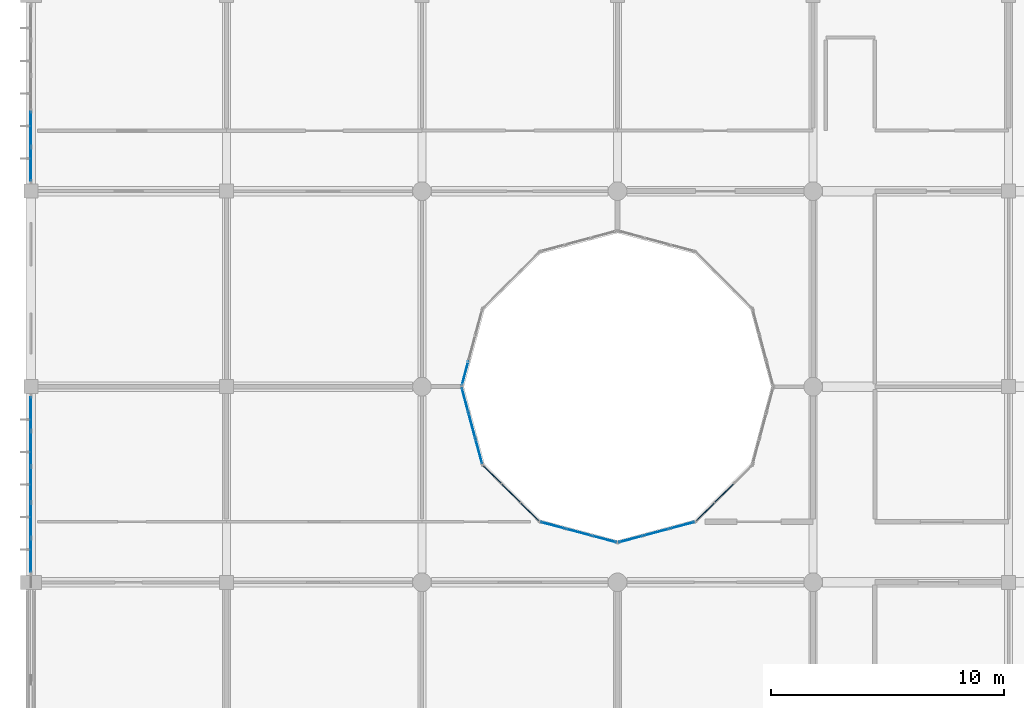
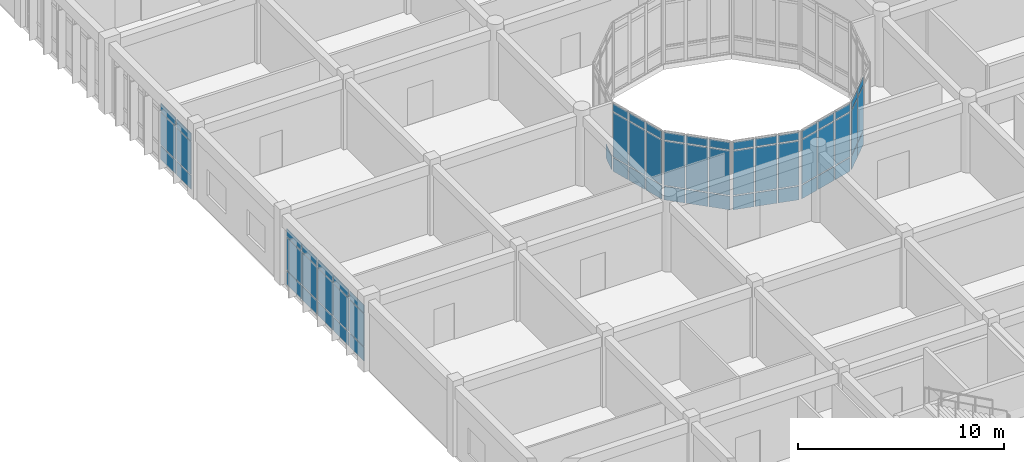
# One storey, part 78 of 144: 64 plates, 8 elements without a shape of their own.
"""IFC4 building model written with IfcOpenShell, lengths in metres."""

from ifc_helpers import new_model, si_unit, direction, frame, origin, origin_2d, place, context, subcontext, project, spatial, rectangle, extrude, material, layer, layer_set, type_object, element, aggregate, save


model = new_model("IFC4")

# Units and contexts
model_context = context("Model", 3, precision=1e-05, world=origin(), true_north=direction((0.0, 1.0)))
body_context = subcontext(model_context, "Body", "Model", "MODEL_VIEW")
ifc_project = project(units=[si_unit("LENGTHUNIT", "METRE"), si_unit("AREAUNIT", "SQUARE_METRE"), si_unit("VOLUMEUNIT", "CUBIC_METRE"), si_unit("PLANEANGLEUNIT", "RADIAN"), si_unit("MASSUNIT", "GRAM", prefix="KILO")], contexts=[model_context])

# Site, building, storey
site_placement = place(None, origin())
site = spatial("IfcSite", under=ifc_project, at=site_placement, CompositionType="ELEMENT")
building_placement = place(site_placement, origin())
building = spatial("IfcBuilding", under=site, at=building_placement, Name="Bramfleet General Hospital", CompositionType="ELEMENT")
storey_placement = place(building_placement, frame((0.0, 0.0, 4.800048828125)))
storey = spatial("IfcBuildingStorey", under=building, at=storey_placement, Name="L01", CompositionType="ELEMENT", Elevation=4.800048828125)

# Curtain wall, plates
ifc_material_1 = material(Name="Anodised aluminium and low-E triple glazing", Category="aluminium")
ifc_layer_1 = layer(ifc_material_1, 0.179931640625, Name="CWT-CW-06")
ifc_layer_set_1 = layer_set([ifc_layer_1], Name="Anodised aluminium and low-E triple glazing")
curtain_wall_type_1 = type_object("IfcCurtainWallType", Name="CWT-CW-06", PredefinedType="USERDEFINED", material=ifc_layer_set_1)
curtain_wall_1_placement = place(storey_placement, origin())
curtain_wall_1 = element("IfcCurtainWall", 1, at=curtain_wall_1_placement, inside=storey, type_object=curtain_wall_type_1, Name="L01 Curtain Wall 42", ObjectType="Unitised curtain wall", PredefinedType="USERDEFINED")
ifc_material_2 = material(Name="Low-E laminated safety glass", Category="glass")
ifc_layer_2 = layer(ifc_material_2, 0.031982421875, Name="CWP-GLZ-2")
ifc_layer_set_2 = layer_set([ifc_layer_2], Name="Low-E laminated safety glass")
plate_type_1 = type_object("IfcPlateType", Name="CWP-GLZ-2", PredefinedType="CURTAIN_PANEL", material=ifc_layer_set_2)
plate_1_placement = place(storey_placement, frame((0.0, 76.757568359375, 0.06494140625), z_axis=(0.0, 0.0, 1.0), x_axis=(0.0, 1.0, 0.0)))
plate_1 = element("IfcPlate", 2, at=plate_1_placement, type_object=plate_type_1, Name="CW-06 panel 1.1", PredefinedType="CURTAIN_PANEL", context=body_context, shape_type="SweptSolid", body=[
    extrude(rectangle(XDim=1.425048828125, YDim=0.031982421875, at=origin_2d()), origin(), (0.0, 0.0, 1.0), 0.802490234375),
])
plate_2_placement = place(storey_placement, frame((0.0, 76.757568359375, 0.9326171875), z_axis=(0.0, 0.0, 1.0), x_axis=(0.0, 1.0, 0.0)))
plate_2 = element("IfcPlate", 3, at=plate_2_placement, type_object=plate_type_1, Name="CW-06 panel 1.2", PredefinedType="CURTAIN_PANEL", context=body_context, shape_type="SweptSolid", body=[
    extrude(rectangle(XDim=1.425048828125, YDim=0.031982421875, at=origin_2d()), origin(), (0.0, 0.0, 1.0), 1.925048828125),
])
plate_3_placement = place(storey_placement, frame((0.0, 76.757568359375, 2.92236328125), z_axis=(0.0, 0.0, 1.0), x_axis=(0.0, 1.0, 0.0)))
plate_3 = element("IfcPlate", 4, at=plate_3_placement, type_object=plate_type_1, Name="CW-06 panel 1.3", PredefinedType="CURTAIN_PANEL", context=body_context, shape_type="SweptSolid", body=[
    extrude(rectangle(XDim=1.425048828125, YDim=0.031982421875, at=origin_2d()), origin(), (0.0, 0.0, 1.0), 0.452392578125),
])
plate_4_placement = place(storey_placement, frame((0.0, 78.27001953125, 0.06494140625), z_axis=(0.0, 0.0, 1.0), x_axis=(0.0, 1.0, 0.0)))
plate_4 = element("IfcPlate", 5, at=plate_4_placement, type_object=plate_type_1, Name="CW-06 panel 2.1", PredefinedType="CURTAIN_PANEL", context=body_context, shape_type="SweptSolid", body=[
    extrude(rectangle(XDim=1.4599609375, YDim=0.031982421875, at=origin_2d()), origin(), (0.0, 0.0, 1.0), 0.802490234375),
])
plate_5_placement = place(storey_placement, frame((0.0, 78.27001953125, 0.9326171875), z_axis=(0.0, 0.0, 1.0), x_axis=(0.0, 1.0, 0.0)))
plate_5 = element("IfcPlate", 6, at=plate_5_placement, type_object=plate_type_1, Name="CW-06 panel 2.2", PredefinedType="CURTAIN_PANEL", context=body_context, shape_type="SweptSolid", body=[
    extrude(rectangle(XDim=1.4599609375, YDim=0.031982421875, at=origin_2d()), origin(), (0.0, 0.0, 1.0), 1.925048828125),
])
plate_6_placement = place(storey_placement, frame((0.0, 78.27001953125, 2.92236328125), z_axis=(0.0, 0.0, 1.0), x_axis=(0.0, 1.0, 0.0)))
plate_6 = element("IfcPlate", 7, at=plate_6_placement, type_object=plate_type_1, Name="CW-06 panel 2.3", PredefinedType="CURTAIN_PANEL", context=body_context, shape_type="SweptSolid", body=[
    extrude(rectangle(XDim=1.4599609375, YDim=0.031982421875, at=origin_2d()), origin(), (0.0, 0.0, 1.0), 0.452392578125),
])
plate_7_placement = place(storey_placement, frame((0.0, 79.800048828125, 0.06494140625), z_axis=(0.0, 0.0, 1.0), x_axis=(0.0, 1.0, 0.0)))
plate_7 = element("IfcPlate", 8, at=plate_7_placement, type_object=plate_type_1, Name="CW-06 panel 3.1", PredefinedType="CURTAIN_PANEL", context=body_context, shape_type="SweptSolid", body=[
    extrude(rectangle(XDim=1.4599609375, YDim=0.031982421875, at=origin_2d()), origin(), (0.0, 0.0, 1.0), 0.802490234375),
])
plate_8_placement = place(storey_placement, frame((0.0, 79.800048828125, 0.9326171875), z_axis=(0.0, 0.0, 1.0), x_axis=(0.0, 1.0, 0.0)))
plate_8 = element("IfcPlate", 9, at=plate_8_placement, type_object=plate_type_1, Name="CW-06 panel 3.2", PredefinedType="CURTAIN_PANEL", context=body_context, shape_type="SweptSolid", body=[
    extrude(rectangle(XDim=1.4599609375, YDim=0.031982421875, at=origin_2d()), origin(), (0.0, 0.0, 1.0), 1.925048828125),
])
plate_9_placement = place(storey_placement, frame((0.0, 79.800048828125, 2.92236328125), z_axis=(0.0, 0.0, 1.0), x_axis=(0.0, 1.0, 0.0)))
plate_9 = element("IfcPlate", 10, at=plate_9_placement, type_object=plate_type_1, Name="CW-06 panel 3.3", PredefinedType="CURTAIN_PANEL", context=body_context, shape_type="SweptSolid", body=[
    extrude(rectangle(XDim=1.4599609375, YDim=0.031982421875, at=origin_2d()), origin(), (0.0, 0.0, 1.0), 0.452392578125),
])
plate_10_placement = place(storey_placement, frame((0.0, 81.330078125, 0.06494140625), z_axis=(0.0, 0.0, 1.0), x_axis=(0.0, 1.0, 0.0)))
plate_10 = element("IfcPlate", 11, at=plate_10_placement, type_object=plate_type_1, Name="CW-06 panel 4.1", PredefinedType="CURTAIN_PANEL", context=body_context, shape_type="SweptSolid", body=[
    extrude(rectangle(XDim=1.4599609375, YDim=0.031982421875, at=origin_2d()), origin(), (0.0, 0.0, 1.0), 0.802490234375),
])
plate_11_placement = place(storey_placement, frame((0.0, 81.330078125, 0.9326171875), z_axis=(0.0, 0.0, 1.0), x_axis=(0.0, 1.0, 0.0)))
plate_11 = element("IfcPlate", 12, at=plate_11_placement, type_object=plate_type_1, Name="CW-06 panel 4.2", PredefinedType="CURTAIN_PANEL", context=body_context, shape_type="SweptSolid", body=[
    extrude(rectangle(XDim=1.4599609375, YDim=0.031982421875, at=origin_2d()), origin(), (0.0, 0.0, 1.0), 1.925048828125),
])
plate_12_placement = place(storey_placement, frame((0.0, 81.330078125, 2.92236328125), z_axis=(0.0, 0.0, 1.0), x_axis=(0.0, 1.0, 0.0)))
plate_12 = element("IfcPlate", 13, at=plate_12_placement, type_object=plate_type_1, Name="CW-06 panel 4.3", PredefinedType="CURTAIN_PANEL", context=body_context, shape_type="SweptSolid", body=[
    extrude(rectangle(XDim=1.4599609375, YDim=0.031982421875, at=origin_2d()), origin(), (0.0, 0.0, 1.0), 0.452392578125),
])
plate_13_placement = place(storey_placement, frame((0.0, 82.842529296875, 0.06494140625), z_axis=(0.0, 0.0, 1.0), x_axis=(0.0, 1.0, 0.0)))
plate_13 = element("IfcPlate", 14, at=plate_13_placement, type_object=plate_type_1, Name="CW-06 panel 5.1", PredefinedType="CURTAIN_PANEL", context=body_context, shape_type="SweptSolid", body=[
    extrude(rectangle(XDim=1.425048828125, YDim=0.031982421875, at=origin_2d()), origin(), (0.0, 0.0, 1.0), 0.802490234375),
])
plate_14_placement = place(storey_placement, frame((0.0, 82.842529296875, 0.9326171875), z_axis=(0.0, 0.0, 1.0), x_axis=(0.0, 1.0, 0.0)))
plate_14 = element("IfcPlate", 15, at=plate_14_placement, type_object=plate_type_1, Name="CW-06 panel 5.2", PredefinedType="CURTAIN_PANEL", context=body_context, shape_type="SweptSolid", body=[
    extrude(rectangle(XDim=1.425048828125, YDim=0.031982421875, at=origin_2d()), origin(), (0.0, 0.0, 1.0), 1.925048828125),
])
plate_15_placement = place(storey_placement, frame((0.0, 82.842529296875, 2.92236328125), z_axis=(0.0, 0.0, 1.0), x_axis=(0.0, 1.0, 0.0)))
plate_15 = element("IfcPlate", 16, at=plate_15_placement, type_object=plate_type_1, Name="CW-06 panel 5.3", PredefinedType="CURTAIN_PANEL", context=body_context, shape_type="SweptSolid", body=[
    extrude(rectangle(XDim=1.425048828125, YDim=0.031982421875, at=origin_2d()), origin(), (0.0, 0.0, 1.0), 0.452392578125),
])
aggregate(curtain_wall_1, [plate_1, plate_2, plate_3, plate_4, plate_5, plate_6, plate_7, plate_8, plate_9, plate_10, plate_11, plate_12, plate_13, plate_14, plate_15])

ifc_layer_3 = layer(ifc_material_1, 0.179931640625, Name="CWT-CW-17")
ifc_layer_set_3 = layer_set([ifc_layer_3], Name="Anodised aluminium and low-E triple glazing")
curtain_wall_type_2 = type_object("IfcCurtainWallType", Name="CWT-CW-17", PredefinedType="USERDEFINED", material=ifc_layer_set_3)
curtain_wall_2_placement = place(storey_placement, origin())
curtain_wall_2 = element("IfcCurtainWall", 17, at=curtain_wall_2_placement, inside=storey, type_object=curtain_wall_type_2, Name="L01 West Clinical Light Court Curtain Wall 1.1", ObjectType="Stick curtain wall", PredefinedType="USERDEFINED")
plate_16_placement = place(storey_placement, frame((18.654296875, 83.4248046875, 0.06494140625), z_axis=(0.0, 0.0, 1.0), x_axis=(0.25891863407, -0.965899136003, 0.0)))
plate_16 = element("IfcPlate", 18, at=plate_16_placement, type_object=plate_type_1, Name="CW-17 panel 1.1", PredefinedType="CURTAIN_PANEL", context=body_context, shape_type="SweptSolid", body=[
    extrude(rectangle(XDim=1.051025390625, YDim=0.031982421875, at=origin_2d()), origin(), (0.0, 0.0, 1.0), 0.802490234375),
])
plate_17_placement = place(storey_placement, frame((18.654296875, 83.4248046875, 0.932373046875), z_axis=(0.0, 0.0, 1.0), x_axis=(0.25891863407, -0.965899136003, 0.0)))
plate_17 = element("IfcPlate", 19, at=plate_17_placement, type_object=plate_type_1, Name="CW-17 panel 1.2", PredefinedType="CURTAIN_PANEL", context=body_context, shape_type="SweptSolid", body=[
    extrude(rectangle(XDim=1.051025390625, YDim=0.031982421875, at=origin_2d()), origin(), (0.0, 0.0, 1.0), 2.625),
])
plate_18_placement = place(storey_placement, frame((18.654296875, 83.4248046875, 3.62255859375), z_axis=(0.0, 0.0, 1.0), x_axis=(0.25891863407, -0.965899136003, 0.0)))
plate_18 = element("IfcPlate", 20, at=plate_18_placement, type_object=plate_type_1, Name="CW-17 panel 1.3", PredefinedType="CURTAIN_PANEL", context=body_context, shape_type="SweptSolid", body=[
    extrude(rectangle(XDim=1.051025390625, YDim=0.031982421875, at=origin_2d()), origin(), (0.0, 0.0, 1.0), 0.452392578125),
])
plate_19_placement = place(storey_placement, frame((18.948974609375, 82.324951171875, 0.06494140625), z_axis=(0.0, 0.0, 1.0), x_axis=(0.25891863407, -0.965899136003, 0.0)))
plate_19 = element("IfcPlate", 21, at=plate_19_placement, type_object=plate_type_1, Name="CW-17 panel 2.1", PredefinedType="CURTAIN_PANEL", context=body_context, shape_type="SweptSolid", body=[
    extrude(rectangle(XDim=1.086181640625, YDim=0.031982421875, at=origin_2d()), origin(), (0.0, 0.0, 1.0), 0.802490234375),
])
plate_20_placement = place(storey_placement, frame((18.948974609375, 82.324951171875, 0.932373046875), z_axis=(0.0, 0.0, 1.0), x_axis=(0.25891863407, -0.965899136003, 0.0)))
plate_20 = element("IfcPlate", 22, at=plate_20_placement, type_object=plate_type_1, Name="CW-17 panel 2.2", PredefinedType="CURTAIN_PANEL", context=body_context, shape_type="SweptSolid", body=[
    extrude(rectangle(XDim=1.086181640625, YDim=0.031982421875, at=origin_2d()), origin(), (0.0, 0.0, 1.0), 2.625),
])
plate_21_placement = place(storey_placement, frame((18.948974609375, 82.324951171875, 3.62255859375), z_axis=(0.0, 0.0, 1.0), x_axis=(0.25891863407, -0.965899136003, 0.0)))
plate_21 = element("IfcPlate", 23, at=plate_21_placement, type_object=plate_type_1, Name="CW-17 panel 2.3", PredefinedType="CURTAIN_PANEL", context=body_context, shape_type="SweptSolid", body=[
    extrude(rectangle(XDim=1.086181640625, YDim=0.031982421875, at=origin_2d()), origin(), (0.0, 0.0, 1.0), 0.452392578125),
])
plate_22_placement = place(storey_placement, frame((19.243896484375, 81.225341796875, 0.06494140625), z_axis=(0.0, 0.0, 1.0), x_axis=(0.25891863407, -0.965899136003, 0.0)))
plate_22 = element("IfcPlate", 24, at=plate_22_placement, type_object=plate_type_1, Name="CW-17 panel 3.1", PredefinedType="CURTAIN_PANEL", context=body_context, shape_type="SweptSolid", body=[
    extrude(rectangle(XDim=1.051025390625, YDim=0.031982421875, at=origin_2d()), origin(), (0.0, 0.0, 1.0), 0.802490234375),
])
plate_23_placement = place(storey_placement, frame((19.243896484375, 81.225341796875, 0.932373046875), z_axis=(0.0, 0.0, 1.0), x_axis=(0.25891863407, -0.965899136003, 0.0)))
plate_23 = element("IfcPlate", 25, at=plate_23_placement, type_object=plate_type_1, Name="CW-17 panel 3.2", PredefinedType="CURTAIN_PANEL", context=body_context, shape_type="SweptSolid", body=[
    extrude(rectangle(XDim=1.051025390625, YDim=0.031982421875, at=origin_2d()), origin(), (0.0, 0.0, 1.0), 2.625),
])
plate_24_placement = place(storey_placement, frame((19.243896484375, 81.225341796875, 3.62255859375), z_axis=(0.0, 0.0, 1.0), x_axis=(0.25891863407, -0.965899136003, 0.0)))
plate_24 = element("IfcPlate", 26, at=plate_24_placement, type_object=plate_type_1, Name="CW-17 panel 3.3", PredefinedType="CURTAIN_PANEL", context=body_context, shape_type="SweptSolid", body=[
    extrude(rectangle(XDim=1.051025390625, YDim=0.031982421875, at=origin_2d()), origin(), (0.0, 0.0, 1.0), 0.452392578125),
])
aggregate(curtain_wall_2, [plate_16, plate_17, plate_18, plate_19, plate_20, plate_21, plate_22, plate_23, plate_24])

ifc_layer_4 = layer(ifc_material_1, 0.179931640625, Name="CWT-CW-18")
ifc_layer_set_4 = layer_set([ifc_layer_4], Name="Anodised aluminium and low-E triple glazing")
curtain_wall_type_3 = type_object("IfcCurtainWallType", Name="CWT-CW-18", PredefinedType="USERDEFINED", material=ifc_layer_set_4)
curtain_wall_3_placement = place(storey_placement, origin())
curtain_wall_3 = element("IfcCurtainWall", 27, at=curtain_wall_3_placement, inside=storey, type_object=curtain_wall_type_3, Name="L01 West Clinical Light Court Curtain Wall 2.1", ObjectType="Stick curtain wall", PredefinedType="USERDEFINED")
plate_25_placement = place(storey_placement, frame((19.819091796875, 80.22900390625, 0.06494140625), z_axis=(0.0, 0.0, 1.0), x_axis=(0.707106781187, -0.707106781187, 0.0)))
plate_25 = element("IfcPlate", 28, at=plate_25_placement, type_object=plate_type_1, Name="CW-18 panel 1.1", PredefinedType="CURTAIN_PANEL", context=body_context, shape_type="SweptSolid", body=[
    extrude(rectangle(XDim=1.05078125, YDim=0.031982421875, at=origin_2d()), origin(), (0.0, 0.0, 1.0), 0.802490234375),
])
plate_26_placement = place(storey_placement, frame((19.819091796875, 80.22900390625, 0.932373046875), z_axis=(0.0, 0.0, 1.0), x_axis=(0.707106781187, -0.707106781187, 0.0)))
plate_26 = element("IfcPlate", 29, at=plate_26_placement, type_object=plate_type_1, Name="CW-18 panel 1.2", PredefinedType="CURTAIN_PANEL", context=body_context, shape_type="SweptSolid", body=[
    extrude(rectangle(XDim=1.05078125, YDim=0.031982421875, at=origin_2d()), origin(), (0.0, 0.0, 1.0), 2.625),
])
plate_27_placement = place(storey_placement, frame((19.819091796875, 80.22900390625, 3.62255859375), z_axis=(0.0, 0.0, 1.0), x_axis=(0.707106781187, -0.707106781187, 0.0)))
plate_27 = element("IfcPlate", 30, at=plate_27_placement, type_object=plate_type_1, Name="CW-18 panel 1.3", PredefinedType="CURTAIN_PANEL", context=body_context, shape_type="SweptSolid", body=[
    extrude(rectangle(XDim=1.05078125, YDim=0.031982421875, at=origin_2d()), origin(), (0.0, 0.0, 1.0), 0.452392578125),
])
plate_28_placement = place(storey_placement, frame((20.6240234375, 79.424072265625, 0.06494140625), z_axis=(0.0, 0.0, 1.0), x_axis=(0.707106781187, -0.707106781187, 0.0)))
plate_28 = element("IfcPlate", 31, at=plate_28_placement, type_object=plate_type_1, Name="CW-18 panel 2.1", PredefinedType="CURTAIN_PANEL", context=body_context, shape_type="SweptSolid", body=[
    extrude(rectangle(XDim=1.0859375, YDim=0.031982421875, at=origin_2d()), origin(), (0.0, 0.0, 1.0), 0.802490234375),
])
plate_29_placement = place(storey_placement, frame((20.6240234375, 79.424072265625, 0.932373046875), z_axis=(0.0, 0.0, 1.0), x_axis=(0.707106781187, -0.707106781187, 0.0)))
plate_29 = element("IfcPlate", 32, at=plate_29_placement, type_object=plate_type_1, Name="CW-18 panel 2.2", PredefinedType="CURTAIN_PANEL", context=body_context, shape_type="SweptSolid", body=[
    extrude(rectangle(XDim=1.0859375, YDim=0.031982421875, at=origin_2d()), origin(), (0.0, 0.0, 1.0), 2.625),
])
plate_30_placement = place(storey_placement, frame((20.6240234375, 79.424072265625, 3.62255859375), z_axis=(0.0, 0.0, 1.0), x_axis=(0.707106781187, -0.707106781187, 0.0)))
plate_30 = element("IfcPlate", 33, at=plate_30_placement, type_object=plate_type_1, Name="CW-18 panel 2.3", PredefinedType="CURTAIN_PANEL", context=body_context, shape_type="SweptSolid", body=[
    extrude(rectangle(XDim=1.0859375, YDim=0.031982421875, at=origin_2d()), origin(), (0.0, 0.0, 1.0), 0.452392578125),
])
plate_31_placement = place(storey_placement, frame((21.428955078125, 78.619140625, 0.06494140625), z_axis=(0.0, 0.0, 1.0), x_axis=(0.707106781187, -0.707106781187, 0.0)))
plate_31 = element("IfcPlate", 34, at=plate_31_placement, type_object=plate_type_1, Name="CW-18 panel 3.1", PredefinedType="CURTAIN_PANEL", context=body_context, shape_type="SweptSolid", body=[
    extrude(rectangle(XDim=1.05078125, YDim=0.031982421875, at=origin_2d()), origin(), (0.0, 0.0, 1.0), 0.802490234375),
])
plate_32_placement = place(storey_placement, frame((21.428955078125, 78.619140625, 0.932373046875), z_axis=(0.0, 0.0, 1.0), x_axis=(0.707106781187, -0.707106781187, 0.0)))
plate_32 = element("IfcPlate", 35, at=plate_32_placement, type_object=plate_type_1, Name="CW-18 panel 3.2", PredefinedType="CURTAIN_PANEL", context=body_context, shape_type="SweptSolid", body=[
    extrude(rectangle(XDim=1.05078125, YDim=0.031982421875, at=origin_2d()), origin(), (0.0, 0.0, 1.0), 2.625),
])
plate_33_placement = place(storey_placement, frame((21.428955078125, 78.619140625, 3.62255859375), z_axis=(0.0, 0.0, 1.0), x_axis=(0.707106781187, -0.707106781187, 0.0)))
plate_33 = element("IfcPlate", 36, at=plate_33_placement, type_object=plate_type_1, Name="CW-18 panel 3.3", PredefinedType="CURTAIN_PANEL", context=body_context, shape_type="SweptSolid", body=[
    extrude(rectangle(XDim=1.05078125, YDim=0.031982421875, at=origin_2d()), origin(), (0.0, 0.0, 1.0), 0.452392578125),
])
aggregate(curtain_wall_3, [plate_25, plate_26, plate_27, plate_28, plate_29, plate_30, plate_31, plate_32, plate_33])

ifc_layer_5 = layer(ifc_material_1, 0.179931640625, Name="CWT-CW-11")
ifc_layer_set_5 = layer_set([ifc_layer_5], Name="Anodised aluminium and low-E triple glazing")
curtain_wall_type_4 = type_object("IfcCurtainWallType", Name="CWT-CW-11", PredefinedType="USERDEFINED", material=ifc_layer_set_5)
curtain_wall_4_placement = place(storey_placement, origin())
curtain_wall_4 = element("IfcCurtainWall", 37, at=curtain_wall_4_placement, inside=storey, type_object=curtain_wall_type_4, Name="L01 West Clinical Light Court Curtain Wall 3.1", ObjectType="Stick curtain wall", PredefinedType="USERDEFINED")
plate_34_placement = place(storey_placement, frame((22.42529296875, 78.043701171875, 0.06494140625), z_axis=(0.0, 0.0, 1.0), x_axis=(0.965899136003, -0.25891863407, 0.0)))
plate_34 = element("IfcPlate", 38, at=plate_34_placement, type_object=plate_type_1, Name="CW-11 panel 1.1", PredefinedType="CURTAIN_PANEL", context=body_context, shape_type="SweptSolid", body=[
    extrude(rectangle(XDim=1.051025390625, YDim=0.031982421875, at=origin_2d()), origin(), (0.0, 0.0, 1.0), 0.802490234375),
])
plate_35_placement = place(storey_placement, frame((22.42529296875, 78.043701171875, 0.932373046875), z_axis=(0.0, 0.0, 1.0), x_axis=(0.965899136003, -0.25891863407, 0.0)))
plate_35 = element("IfcPlate", 39, at=plate_35_placement, type_object=plate_type_1, Name="CW-11 panel 1.2", PredefinedType="CURTAIN_PANEL", context=body_context, shape_type="SweptSolid", body=[
    extrude(rectangle(XDim=1.051025390625, YDim=0.031982421875, at=origin_2d()), origin(), (0.0, 0.0, 1.0), 2.625),
])
plate_36_placement = place(storey_placement, frame((22.42529296875, 78.043701171875, 3.62255859375), z_axis=(0.0, 0.0, 1.0), x_axis=(0.965899136003, -0.25891863407, 0.0)))
plate_36 = element("IfcPlate", 40, at=plate_36_placement, type_object=plate_type_1, Name="CW-11 panel 1.3", PredefinedType="CURTAIN_PANEL", context=body_context, shape_type="SweptSolid", body=[
    extrude(rectangle(XDim=1.051025390625, YDim=0.031982421875, at=origin_2d()), origin(), (0.0, 0.0, 1.0), 0.452392578125),
])
plate_37_placement = place(storey_placement, frame((23.52490234375, 77.7490234375, 0.06494140625), z_axis=(0.0, 0.0, 1.0), x_axis=(0.965899136003, -0.25891863407, 0.0)))
plate_37 = element("IfcPlate", 41, at=plate_37_placement, type_object=plate_type_1, Name="CW-11 panel 2.1", PredefinedType="CURTAIN_PANEL", context=body_context, shape_type="SweptSolid", body=[
    extrude(rectangle(XDim=1.086181640625, YDim=0.031982421875, at=origin_2d()), origin(), (0.0, 0.0, 1.0), 0.802490234375),
])
plate_38_placement = place(storey_placement, frame((23.52490234375, 77.7490234375, 0.932373046875), z_axis=(0.0, 0.0, 1.0), x_axis=(0.965899136003, -0.25891863407, 0.0)))
plate_38 = element("IfcPlate", 42, at=plate_38_placement, type_object=plate_type_1, Name="CW-11 panel 2.2", PredefinedType="CURTAIN_PANEL", context=body_context, shape_type="SweptSolid", body=[
    extrude(rectangle(XDim=1.086181640625, YDim=0.031982421875, at=origin_2d()), origin(), (0.0, 0.0, 1.0), 2.625),
])
plate_39_placement = place(storey_placement, frame((23.52490234375, 77.7490234375, 3.62255859375), z_axis=(0.0, 0.0, 1.0), x_axis=(0.965899136003, -0.25891863407, 0.0)))
plate_39 = element("IfcPlate", 43, at=plate_39_placement, type_object=plate_type_1, Name="CW-11 panel 2.3", PredefinedType="CURTAIN_PANEL", context=body_context, shape_type="SweptSolid", body=[
    extrude(rectangle(XDim=1.086181640625, YDim=0.031982421875, at=origin_2d()), origin(), (0.0, 0.0, 1.0), 0.452392578125),
])
plate_40_placement = place(storey_placement, frame((24.624755859375, 77.4541015625, 0.06494140625), z_axis=(0.0, 0.0, 1.0), x_axis=(0.965899136003, -0.25891863407, 0.0)))
plate_40 = element("IfcPlate", 44, at=plate_40_placement, type_object=plate_type_1, Name="CW-11 panel 3.1", PredefinedType="CURTAIN_PANEL", context=body_context, shape_type="SweptSolid", body=[
    extrude(rectangle(XDim=1.051025390625, YDim=0.031982421875, at=origin_2d()), origin(), (0.0, 0.0, 1.0), 0.802490234375),
])
plate_41_placement = place(storey_placement, frame((24.624755859375, 77.4541015625, 0.932373046875), z_axis=(0.0, 0.0, 1.0), x_axis=(0.965899136003, -0.25891863407, 0.0)))
plate_41 = element("IfcPlate", 45, at=plate_41_placement, type_object=plate_type_1, Name="CW-11 panel 3.2", PredefinedType="CURTAIN_PANEL", context=body_context, shape_type="SweptSolid", body=[
    extrude(rectangle(XDim=1.051025390625, YDim=0.031982421875, at=origin_2d()), origin(), (0.0, 0.0, 1.0), 2.625),
])
plate_42_placement = place(storey_placement, frame((24.624755859375, 77.4541015625, 3.62255859375), z_axis=(0.0, 0.0, 1.0), x_axis=(0.965899136003, -0.25891863407, 0.0)))
plate_42 = element("IfcPlate", 46, at=plate_42_placement, type_object=plate_type_1, Name="CW-11 panel 3.3", PredefinedType="CURTAIN_PANEL", context=body_context, shape_type="SweptSolid", body=[
    extrude(rectangle(XDim=1.051025390625, YDim=0.031982421875, at=origin_2d()), origin(), (0.0, 0.0, 1.0), 0.452392578125),
])
aggregate(curtain_wall_4, [plate_34, plate_35, plate_36, plate_37, plate_38, plate_39, plate_40, plate_41, plate_42])

ifc_layer_6 = layer(ifc_material_1, 0.179931640625, Name="CWT-CW-12")
ifc_layer_set_6 = layer_set([ifc_layer_6], Name="Anodised aluminium and low-E triple glazing")
curtain_wall_type_5 = type_object("IfcCurtainWallType", Name="CWT-CW-12", PredefinedType="USERDEFINED", material=ifc_layer_set_6)
curtain_wall_5_placement = place(storey_placement, origin())
curtain_wall_5 = element("IfcCurtainWall", 47, at=curtain_wall_5_placement, inside=storey, type_object=curtain_wall_type_5, Name="L01 West Clinical Light Court Curtain Wall 4.1", ObjectType="Stick curtain wall", PredefinedType="USERDEFINED")
plate_43_placement = place(storey_placement, frame((25.775146484375, 77.4541015625, 0.06494140625), z_axis=(0.0, 0.0, 1.0), x_axis=(0.965899136003, 0.25891863407, 0.0)))
plate_43 = element("IfcPlate", 48, at=plate_43_placement, type_object=plate_type_1, Name="CW-12 panel 1.1", PredefinedType="CURTAIN_PANEL", context=body_context, shape_type="SweptSolid", body=[
    extrude(rectangle(XDim=1.051025390625, YDim=0.031982421875, at=origin_2d()), origin(), (0.0, 0.0, 1.0), 0.802490234375),
])
plate_44_placement = place(storey_placement, frame((25.775146484375, 77.4541015625, 0.932373046875), z_axis=(0.0, 0.0, 1.0), x_axis=(0.965899136003, 0.25891863407, 0.0)))
plate_44 = element("IfcPlate", 49, at=plate_44_placement, type_object=plate_type_1, Name="CW-12 panel 1.2", PredefinedType="CURTAIN_PANEL", context=body_context, shape_type="SweptSolid", body=[
    extrude(rectangle(XDim=1.051025390625, YDim=0.031982421875, at=origin_2d()), origin(), (0.0, 0.0, 1.0), 2.625),
])
plate_45_placement = place(storey_placement, frame((25.775146484375, 77.4541015625, 3.62255859375), z_axis=(0.0, 0.0, 1.0), x_axis=(0.965899136003, 0.25891863407, 0.0)))
plate_45 = element("IfcPlate", 50, at=plate_45_placement, type_object=plate_type_1, Name="CW-12 panel 1.3", PredefinedType="CURTAIN_PANEL", context=body_context, shape_type="SweptSolid", body=[
    extrude(rectangle(XDim=1.051025390625, YDim=0.031982421875, at=origin_2d()), origin(), (0.0, 0.0, 1.0), 0.452392578125),
])
plate_46_placement = place(storey_placement, frame((26.875, 77.7490234375, 0.06494140625), z_axis=(0.0, 0.0, 1.0), x_axis=(0.965899136003, 0.25891863407, 0.0)))
plate_46 = element("IfcPlate", 51, at=plate_46_placement, type_object=plate_type_1, Name="CW-12 panel 2.1", PredefinedType="CURTAIN_PANEL", context=body_context, shape_type="SweptSolid", body=[
    extrude(rectangle(XDim=1.086181640625, YDim=0.031982421875, at=origin_2d()), origin(), (0.0, 0.0, 1.0), 0.802490234375),
])
plate_47_placement = place(storey_placement, frame((26.875, 77.7490234375, 0.932373046875), z_axis=(0.0, 0.0, 1.0), x_axis=(0.965899136003, 0.25891863407, 0.0)))
plate_47 = element("IfcPlate", 52, at=plate_47_placement, type_object=plate_type_1, Name="CW-12 panel 2.2", PredefinedType="CURTAIN_PANEL", context=body_context, shape_type="SweptSolid", body=[
    extrude(rectangle(XDim=1.086181640625, YDim=0.031982421875, at=origin_2d()), origin(), (0.0, 0.0, 1.0), 2.625),
])
plate_48_placement = place(storey_placement, frame((26.875, 77.7490234375, 3.62255859375), z_axis=(0.0, 0.0, 1.0), x_axis=(0.965899136003, 0.25891863407, 0.0)))
plate_48 = element("IfcPlate", 53, at=plate_48_placement, type_object=plate_type_1, Name="CW-12 panel 2.3", PredefinedType="CURTAIN_PANEL", context=body_context, shape_type="SweptSolid", body=[
    extrude(rectangle(XDim=1.086181640625, YDim=0.031982421875, at=origin_2d()), origin(), (0.0, 0.0, 1.0), 0.452392578125),
])
plate_49_placement = place(storey_placement, frame((27.974853515625, 78.043701171875, 0.06494140625), z_axis=(0.0, 0.0, 1.0), x_axis=(0.965899136003, 0.25891863407, 0.0)))
plate_49 = element("IfcPlate", 54, at=plate_49_placement, type_object=plate_type_1, Name="CW-12 panel 3.1", PredefinedType="CURTAIN_PANEL", context=body_context, shape_type="SweptSolid", body=[
    extrude(rectangle(XDim=1.051025390625, YDim=0.031982421875, at=origin_2d()), origin(), (0.0, 0.0, 1.0), 0.802490234375),
])
plate_50_placement = place(storey_placement, frame((27.974853515625, 78.043701171875, 0.932373046875), z_axis=(0.0, 0.0, 1.0), x_axis=(0.965899136003, 0.25891863407, 0.0)))
plate_50 = element("IfcPlate", 55, at=plate_50_placement, type_object=plate_type_1, Name="CW-12 panel 3.2", PredefinedType="CURTAIN_PANEL", context=body_context, shape_type="SweptSolid", body=[
    extrude(rectangle(XDim=1.051025390625, YDim=0.031982421875, at=origin_2d()), origin(), (0.0, 0.0, 1.0), 2.625),
])
plate_51_placement = place(storey_placement, frame((27.974853515625, 78.043701171875, 3.62255859375), z_axis=(0.0, 0.0, 1.0), x_axis=(0.965899136003, 0.25891863407, 0.0)))
plate_51 = element("IfcPlate", 56, at=plate_51_placement, type_object=plate_type_1, Name="CW-12 panel 3.3", PredefinedType="CURTAIN_PANEL", context=body_context, shape_type="SweptSolid", body=[
    extrude(rectangle(XDim=1.051025390625, YDim=0.031982421875, at=origin_2d()), origin(), (0.0, 0.0, 1.0), 0.452392578125),
])
aggregate(curtain_wall_5, [plate_43, plate_44, plate_45, plate_46, plate_47, plate_48, plate_49, plate_50, plate_51])

ifc_layer_7 = layer(ifc_material_1, 0.179931640625, Name="CWT-CW-13")
ifc_layer_set_7 = layer_set([ifc_layer_7], Name="Anodised aluminium and low-E triple glazing")
curtain_wall_type_6 = type_object("IfcCurtainWallType", Name="CWT-CW-13", PredefinedType="USERDEFINED", material=ifc_layer_set_7)
curtain_wall_6_placement = place(storey_placement, origin())
curtain_wall_6 = element("IfcCurtainWall", 57, at=curtain_wall_6_placement, inside=storey, type_object=curtain_wall_type_6, Name="L01 West Clinical Light Court Curtain Wall 5.1", ObjectType="Stick curtain wall", PredefinedType="USERDEFINED")
plate_52_placement = place(storey_placement, frame((28.970947265625, 78.619140625, 0.06494140625), z_axis=(0.0, 0.0, 1.0), x_axis=(0.707106781187, 0.707106781187, 0.0)))
plate_52 = element("IfcPlate", 58, at=plate_52_placement, type_object=plate_type_1, Name="CW-13 panel 1.1", PredefinedType="CURTAIN_PANEL", context=body_context, shape_type="SweptSolid", body=[
    extrude(rectangle(XDim=1.05078125, YDim=0.031982421875, at=origin_2d()), origin(), (0.0, 0.0, 1.0), 0.802490234375),
])
plate_53_placement = place(storey_placement, frame((28.970947265625, 78.619140625, 0.932373046875), z_axis=(0.0, 0.0, 1.0), x_axis=(0.707106781187, 0.707106781187, 0.0)))
plate_53 = element("IfcPlate", 59, at=plate_53_placement, type_object=plate_type_1, Name="CW-13 panel 1.2", PredefinedType="CURTAIN_PANEL", context=body_context, shape_type="SweptSolid", body=[
    extrude(rectangle(XDim=1.05078125, YDim=0.031982421875, at=origin_2d()), origin(), (0.0, 0.0, 1.0), 2.625),
])
plate_54_placement = place(storey_placement, frame((28.970947265625, 78.619140625, 3.62255859375), z_axis=(0.0, 0.0, 1.0), x_axis=(0.707106781187, 0.707106781187, 0.0)))
plate_54 = element("IfcPlate", 60, at=plate_54_placement, type_object=plate_type_1, Name="CW-13 panel 1.3", PredefinedType="CURTAIN_PANEL", context=body_context, shape_type="SweptSolid", body=[
    extrude(rectangle(XDim=1.05078125, YDim=0.031982421875, at=origin_2d()), origin(), (0.0, 0.0, 1.0), 0.452392578125),
])
plate_55_placement = place(storey_placement, frame((29.77587890625, 79.424072265625, 0.06494140625), z_axis=(0.0, 0.0, 1.0), x_axis=(0.707106781187, 0.707106781187, 0.0)))
plate_55 = element("IfcPlate", 61, at=plate_55_placement, type_object=plate_type_1, Name="CW-13 panel 2.1", PredefinedType="CURTAIN_PANEL", context=body_context, shape_type="SweptSolid", body=[
    extrude(rectangle(XDim=1.0859375, YDim=0.031982421875, at=origin_2d()), origin(), (0.0, 0.0, 1.0), 0.802490234375),
])
plate_56_placement = place(storey_placement, frame((29.77587890625, 79.424072265625, 0.932373046875), z_axis=(0.0, 0.0, 1.0), x_axis=(0.707106781187, 0.707106781187, 0.0)))
plate_56 = element("IfcPlate", 62, at=plate_56_placement, type_object=plate_type_1, Name="CW-13 panel 2.2", PredefinedType="CURTAIN_PANEL", context=body_context, shape_type="SweptSolid", body=[
    extrude(rectangle(XDim=1.0859375, YDim=0.031982421875, at=origin_2d()), origin(), (0.0, 0.0, 1.0), 2.625),
])
plate_57_placement = place(storey_placement, frame((29.77587890625, 79.424072265625, 3.62255859375), z_axis=(0.0, 0.0, 1.0), x_axis=(0.707106781187, 0.707106781187, 0.0)))
plate_57 = element("IfcPlate", 63, at=plate_57_placement, type_object=plate_type_1, Name="CW-13 panel 2.3", PredefinedType="CURTAIN_PANEL", context=body_context, shape_type="SweptSolid", body=[
    extrude(rectangle(XDim=1.0859375, YDim=0.031982421875, at=origin_2d()), origin(), (0.0, 0.0, 1.0), 0.452392578125),
])
aggregate(curtain_wall_6, [plate_52, plate_53, plate_54, plate_55, plate_56, plate_57])

# Curtain wall, plate
curtain_wall_7_placement = place(storey_placement, origin())
curtain_wall_7 = element("IfcCurtainWall", 64, at=curtain_wall_7_placement, inside=storey, type_object=curtain_wall_type_5, Name="L01 West Clinical Light Court Curtain Wall 12.1", ObjectType="Stick curtain wall", PredefinedType="USERDEFINED")
plate_58_placement = place(storey_placement, frame((18.654296875, 84.5751953125, 0.06494140625), z_axis=(0.0, 0.0, 1.0), x_axis=(-0.25891863407, -0.965899136003, 0.0)))
plate_58 = element("IfcPlate", 65, at=plate_58_placement, type_object=plate_type_1, Name="CW-12 panel 3.1", PredefinedType="CURTAIN_PANEL", context=body_context, shape_type="SweptSolid", body=[
    extrude(rectangle(XDim=1.051025390625, YDim=0.031982421875, at=origin_2d()), origin(), (0.0, 0.0, 1.0), 0.802490234375),
])
aggregate(curtain_wall_7, [plate_58])

# Curtain wall, plates
ifc_layer_8 = layer(ifc_material_1, 0.179931640625, Name="CWT-CW-07")
ifc_layer_set_8 = layer_set([ifc_layer_8], Name="Anodised aluminium and low-E triple glazing")
curtain_wall_type_7 = type_object("IfcCurtainWallType", Name="CWT-CW-07", PredefinedType="USERDEFINED", material=ifc_layer_set_8)
curtain_wall_8_placement = place(storey_placement, origin())
curtain_wall_8 = element("IfcCurtainWall", 66, at=curtain_wall_8_placement, inside=storey, type_object=curtain_wall_type_7, Name="L01 Curtain Wall 43", ObjectType="Unitised curtain wall", PredefinedType="USERDEFINED")
ifc_layer_9 = layer(ifc_material_2, 0.035888671875, Name="CWP-GLZ-3")
ifc_layer_set_9 = layer_set([ifc_layer_9], Name="Low-E laminated safety glass")
plate_type_2 = type_object("IfcPlateType", Name="CWP-GLZ-3", PredefinedType="CURTAIN_PANEL", material=ifc_layer_set_9)
plate_59_placement = place(storey_placement, frame((0.0, 93.5576171875, 0.06494140625), z_axis=(0.0, 0.0, 1.0), x_axis=(0.0, 1.0, 0.0)))
plate_59 = element("IfcPlate", 67, at=plate_59_placement, type_object=plate_type_2, Name="CW-07 panel 1.1", PredefinedType="CURTAIN_PANEL", context=body_context, shape_type="SweptSolid", body=[
    extrude(rectangle(XDim=1.425048828125, YDim=0.035888671875, at=origin_2d()), origin(), (0.0, 0.0, 1.0), 0.802490234375),
])
plate_60_placement = place(storey_placement, frame((0.0, 93.5576171875, 0.9326171875), z_axis=(0.0, 0.0, 1.0), x_axis=(0.0, 1.0, 0.0)))
plate_60 = element("IfcPlate", 68, at=plate_60_placement, type_object=plate_type_2, Name="CW-07 panel 1.2", PredefinedType="CURTAIN_PANEL", context=body_context, shape_type="SweptSolid", body=[
    extrude(rectangle(XDim=1.425048828125, YDim=0.035888671875, at=origin_2d()), origin(), (0.0, 0.0, 1.0), 1.925048828125),
])
plate_61_placement = place(storey_placement, frame((0.0, 93.5576171875, 2.92236328125), z_axis=(0.0, 0.0, 1.0), x_axis=(0.0, 1.0, 0.0)))
plate_61 = element("IfcPlate", 69, at=plate_61_placement, type_object=plate_type_2, Name="CW-07 panel 1.3", PredefinedType="CURTAIN_PANEL", context=body_context, shape_type="SweptSolid", body=[
    extrude(rectangle(XDim=1.425048828125, YDim=0.035888671875, at=origin_2d()), origin(), (0.0, 0.0, 1.0), 0.452392578125),
])
plate_62_placement = place(storey_placement, frame((0.0, 95.070068359375, 0.06494140625), z_axis=(0.0, 0.0, 1.0), x_axis=(0.0, 1.0, 0.0)))
plate_62 = element("IfcPlate", 70, at=plate_62_placement, type_object=plate_type_2, Name="CW-07 panel 2.1", PredefinedType="CURTAIN_PANEL", context=body_context, shape_type="SweptSolid", body=[
    extrude(rectangle(XDim=1.4599609375, YDim=0.035888671875, at=origin_2d()), origin(), (0.0, 0.0, 1.0), 0.802490234375),
])
plate_63_placement = place(storey_placement, frame((0.0, 95.070068359375, 0.9326171875), z_axis=(0.0, 0.0, 1.0), x_axis=(0.0, 1.0, 0.0)))
plate_63 = element("IfcPlate", 71, at=plate_63_placement, type_object=plate_type_2, Name="CW-07 panel 2.2", PredefinedType="CURTAIN_PANEL", context=body_context, shape_type="SweptSolid", body=[
    extrude(rectangle(XDim=1.4599609375, YDim=0.035888671875, at=origin_2d()), origin(), (0.0, 0.0, 1.0), 1.925048828125),
])
plate_64_placement = place(storey_placement, frame((0.0, 95.070068359375, 2.92236328125), z_axis=(0.0, 0.0, 1.0), x_axis=(0.0, 1.0, 0.0)))
plate_64 = element("IfcPlate", 72, at=plate_64_placement, type_object=plate_type_2, Name="CW-07 panel 2.3", PredefinedType="CURTAIN_PANEL", context=body_context, shape_type="SweptSolid", body=[
    extrude(rectangle(XDim=1.4599609375, YDim=0.035888671875, at=origin_2d()), origin(), (0.0, 0.0, 1.0), 0.452392578125),
])
aggregate(curtain_wall_8, [plate_59, plate_60, plate_61, plate_62, plate_63, plate_64])

save(model, "model.ifc")
